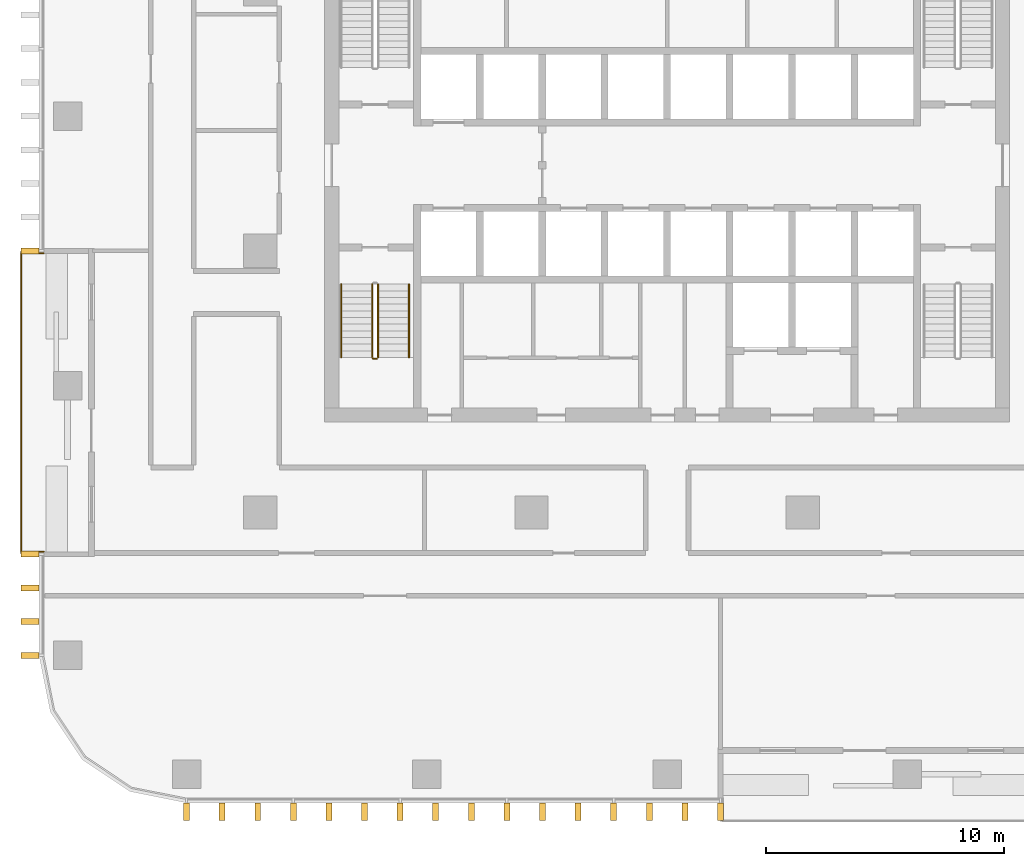
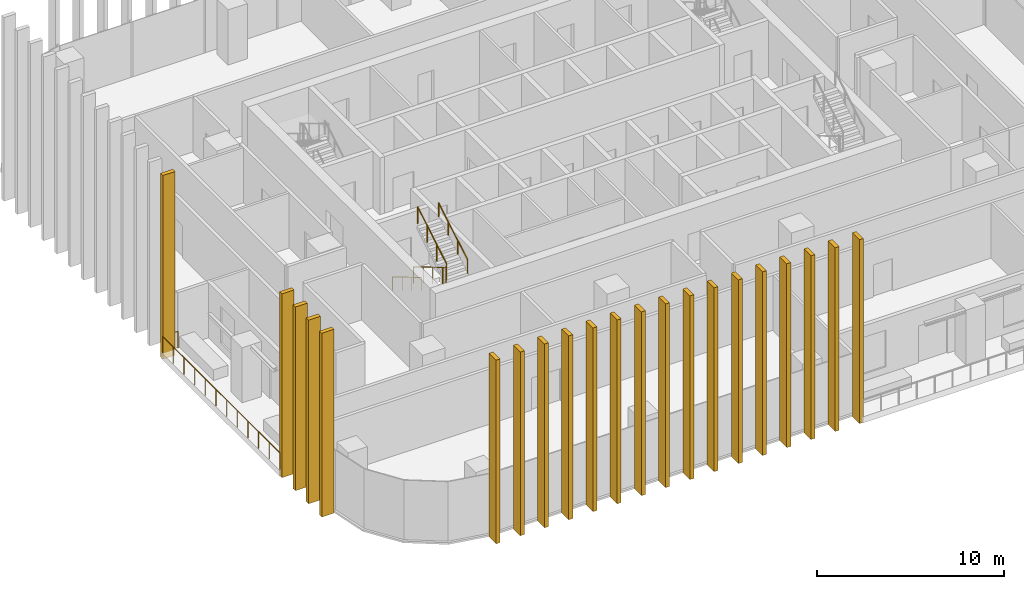
# One storey, part 12 of 16: 21 shading devices, 5 railings.
"""IFC4 building model written with IfcOpenShell, lengths in metres."""

from ifc_helpers import new_model, si_unit, direction, frame, origin, origin_2d, place, context, subcontext, project, spatial, rectangle, circle, extrude, material, type_object, element, save


model = new_model("IFC4")

# Units and contexts
model_context = context("Model", 3, precision=1e-05, world=origin(), true_north=direction((0.0, 1.0)))
body_context = subcontext(model_context, "Body", "Model", "MODEL_VIEW")
ifc_project = project(units=[si_unit("LENGTHUNIT", "METRE"), si_unit("AREAUNIT", "SQUARE_METRE"), si_unit("VOLUMEUNIT", "CUBIC_METRE"), si_unit("PLANEANGLEUNIT", "RADIAN"), si_unit("MASSUNIT", "GRAM", prefix="KILO")], contexts=[model_context])

# Site, building, storey
site_placement = place(None, origin())
site = spatial("IfcSite", under=ifc_project, at=site_placement, CompositionType="ELEMENT")
building_placement = place(site_placement, origin())
building = spatial("IfcBuilding", under=site, at=building_placement, Name="Mopane Tessera Tower", CompositionType="ELEMENT")
storey_placement = place(building_placement, frame((0.0, 0.0, 181.0)))
storey = spatial("IfcBuildingStorey", under=building, at=storey_placement, Name="L37", CompositionType="ELEMENT", Elevation=181.0)

# Shading devices
ifc_material_1 = material(Name="Glazed ceramic tile")
shading_device_type = type_object("IfcShadingDeviceType", Name="Ceramic tile fin 750 x 250 mm", PredefinedType="USERDEFINED", material=ifc_material_1)
for number, where, z_axis, x_axis, name in (
    (1, (-20.199951171875, -23.574951171875, -0.39990234375), (0.0, 0.0, 1.0), (1.0, 0.0, 0.0), "e:fin:L37:S:0:0"),
    (2, (-18.70361328125, -23.574951171875, -0.39990234375), (0.0, 0.0, 1.0), (1.0, 0.0, 0.0), "e:fin:L37:S:0:1"),
    (3, (-17.20751953125, -23.574951171875, -0.39990234375), (0.0, 0.0, 1.0), (1.0, 0.0, 0.0), "e:fin:L37:S:0:2"),
    (4, (-15.711181640625, -23.574951171875, -0.39990234375), (0.0, 0.0, 1.0), (1.0, 0.0, 0.0), "e:fin:L37:S:1:0"),
    (5, (-14.21484375, -23.574951171875, -0.39990234375), (0.0, 0.0, 1.0), (1.0, 0.0, 0.0), "e:fin:L37:S:1:1"),
    (6, (-12.718505859375, -23.574951171875, -0.39990234375), (0.0, 0.0, 1.0), (1.0, 0.0, 0.0), "e:fin:L37:S:1:2"),
    (7, (-11.22216796875, -23.574951171875, -0.39990234375), (0.0, 0.0, 1.0), (1.0, 0.0, 0.0), "e:fin:L37:S:2:0"),
    (8, (-9.725830078125, -23.574951171875, -0.39990234375), (0.0, 0.0, 1.0), (1.0, 0.0, 0.0), "e:fin:L37:S:2:1"),
    (9, (-8.229736328125, -23.574951171875, -0.39990234375), (0.0, 0.0, 1.0), (1.0, 0.0, 0.0), "e:fin:L37:S:2:2"),
    (10, (-6.7333984375, -23.574951171875, -0.39990234375), (0.0, 0.0, 1.0), (1.0, 0.0, 0.0), "e:fin:L37:S:3:0"),
    (11, (-5.237060546875, -23.574951171875, -0.39990234375), (0.0, 0.0, 1.0), (1.0, 0.0, 0.0), "e:fin:L37:S:3:1"),
    (12, (-3.74072265625, -23.574951171875, -0.39990234375), (0.0, 0.0, 1.0), (1.0, 0.0, 0.0), "e:fin:L37:S:3:2"),
    (13, (-2.244384765625, -23.574951171875, -0.39990234375), (0.0, 0.0, 1.0), (1.0, 0.0, 0.0), "e:fin:L37:S:4:0"),
    (14, (-0.748046875, -23.574951171875, -0.39990234375), (0.0, 0.0, 1.0), (1.0, 0.0, 0.0), "e:fin:L37:S:4:1"),
    (15, (0.748046875, -23.574951171875, -0.39990234375), (0.0, 0.0, 1.0), (1.0, 0.0, 0.0), "e:fin:L37:S:4:2"),
    (16, (2.244384765625, -23.574951171875, -0.39990234375), (0.0, 0.0, 1.0), (1.0, 0.0, 0.0), "e:fin:L37:S:4:3"),
    (17, (-26.77490234375, 0.0, -0.39990234375), (0.0, 0.0, 1.0), (0.0, -1.0, 0.0), "e:fin:L37:W:3:3"),
    (18, (-26.77490234375, -12.75, -0.39990234375), (0.0, 0.0, 1.0), (0.0, -1.0, 0.0), "e:fin:L37:W:7:0"),
    (19, (-26.77490234375, -14.166748046875, -0.39990234375), (0.0, 0.0, 1.0), (0.0, -1.0, 0.0), "e:fin:L37:W:7:1"),
    (20, (-26.77490234375, -15.583251953125, -0.39990234375), (0.0, 0.0, 1.0), (0.0, -1.0, 0.0), "e:fin:L37:W:7:2"),
    (21, (-26.77490234375, -17.0, -0.39990234375), (0.0, 0.0, 1.0), (0.0, -1.0, 0.0), "e:fin:L37:W:7:3"),
):
    element("IfcShadingDevice", number, at=place(storey_placement, frame(where, z_axis=z_axis, x_axis=x_axis)), inside=storey, type_object=shading_device_type, Name=name, ObjectType="FIN", PredefinedType="USERDEFINED", context=body_context, shape_type="SweptSolid", body=[
        extrude(rectangle(XDim=0.25, YDim=0.75, at=origin_2d()), origin(), (0.0, 0.0, 1.0), 12.0),
    ])

# Railings
ifc_material_2 = material(Name="Powder-coated steel balustrade", Category="steel")
railing_type_1 = type_object("IfcRailingType", Name="Escape stair guard 1100 mm", PredefinedType="GUARDRAIL", material=ifc_material_2)
railing_1_placement = place(storey_placement, frame((-12.39990234375, -1.39990234375, 0.166748046875)))
element("IfcRailing", 22, at=railing_1_placement, inside=storey, type_object=railing_type_1, Name="L37 ST1 stair guard 1", PredefinedType="GUARDRAIL", context=body_context, shape_type="SweptSolid", body=[
    extrude(circle(Radius=0.02392578125, at=origin_2d()), frame((0.0, 0.0, 1.076171875), z_axis=(0.0, -0.859308565015, 0.511457515432), x_axis=(1.0, 0.0, 0.0)), (0.0, 0.0, 1.0), 3.58447265625),
    extrude(circle(Radius=0.02392578125, at=origin_2d()), frame((0.0, -3.080078125, 2.9091796875), z_axis=(0.705375805398, -0.708833529934, 0.0), x_axis=(0.708833529934, 0.705375805398, 0.0)), (0.0, 0.0, 1.0), 0.070556640625),
    extrude(circle(Radius=0.02392578125, at=origin_2d()), frame((0.0498046875, -3.130126953125, 2.9091796875), z_axis=(1.0, 0.0, 0.0), x_axis=(0.0, 1.0, 0.0)), (0.0, 0.0, 1.0), 0.150146484375),
    extrude(circle(Radius=0.02099609375, at=origin_2d()), origin(), (0.0, 0.0, 1.0), 1.052001953125),
    extrude(circle(Radius=0.02099609375, at=origin_2d()), frame((0.0, -1.026611328125, 0.611083984375)), (0.0, 0.0, 1.0), 1.052001953125),
    extrude(circle(Radius=0.02099609375, at=origin_2d()), frame((0.0, -2.053466796875, 1.22216796875)), (0.0, 0.0, 1.0), 1.052001953125),
    extrude(circle(Radius=0.02099609375, at=origin_2d()), frame((0.0, -3.080078125, 1.833251953125)), (0.0, 0.0, 1.0), 1.052001953125),
    extrude(circle(Radius=0.02099609375, at=origin_2d()), frame((0.0498046875, -3.130126953125, 1.833251953125)), (0.0, 0.0, 1.0), 1.052001953125),
    extrude(circle(Radius=0.02099609375, at=origin_2d()), frame((0.199951171875, -3.130126953125, 1.833251953125)), (0.0, 0.0, 1.0), 1.052001953125),
])
railing_2_placement = place(storey_placement, frame((-12.14990234375, -4.47998046875, 2.166748046875)))
element("IfcRailing", 23, at=railing_2_placement, inside=storey, type_object=railing_type_1, Name="L37 ST1 stair guard 2", PredefinedType="GUARDRAIL", context=body_context, shape_type="SweptSolid", body=[
    extrude(circle(Radius=0.02392578125, at=origin_2d()), frame((0.0, 0.0, 1.076171875), z_axis=(0.0, 0.859308565015, 0.511457515432), x_axis=(-1.0, 0.0, 0.0)), (0.0, 0.0, 1.0), 3.58447265625),
    extrude(circle(Radius=0.02099609375, at=origin_2d()), origin(), (0.0, 0.0, 1.0), 1.052001953125),
    extrude(circle(Radius=0.02099609375, at=origin_2d()), frame((0.0, 1.026611328125, 0.611083984375)), (0.0, 0.0, 1.0), 1.052001953125),
    extrude(circle(Radius=0.02099609375, at=origin_2d()), frame((0.0, 2.053466796875, 1.22216796875)), (0.0, 0.0, 1.0), 1.052001953125),
    extrude(circle(Radius=0.02099609375, at=origin_2d()), frame((0.0, 3.080078125, 1.833251953125)), (0.0, 0.0, 1.0), 1.052001953125),
])
ifc_material_3 = material(Name="Powder-coated steel balustrade", Category="steel")
railing_type_2 = type_object("IfcRailingType", Name="Escape stair handrail 900 mm", PredefinedType="HANDRAIL", material=ifc_material_3)
railing_3_placement = place(storey_placement, frame((-13.699951171875, -1.39990234375, 0.166748046875)))
element("IfcRailing", 24, at=railing_3_placement, inside=storey, type_object=railing_type_2, Name="L37 ST1 stair handrail 1", PredefinedType="HANDRAIL", context=body_context, shape_type="SweptSolid", body=[
    extrude(circle(Radius=0.02392578125, at=origin_2d()), frame((0.0, 0.0, 0.8759765625), z_axis=(0.0, -0.859308565015, 0.511457515432), x_axis=(1.0, 0.0, 0.0)), (0.0, 0.0, 1.0), 3.58447265625),
    extrude(circle(Radius=0.02099609375, at=origin_2d()), origin(), (0.0, 0.0, 1.0), 0.851806640625),
    extrude(circle(Radius=0.02099609375, at=origin_2d()), frame((0.0, -1.026611328125, 0.611083984375)), (0.0, 0.0, 1.0), 0.851806640625),
    extrude(circle(Radius=0.02099609375, at=origin_2d()), frame((0.0, -2.053466796875, 1.22216796875)), (0.0, 0.0, 1.0), 0.851806640625),
    extrude(circle(Radius=0.02099609375, at=origin_2d()), frame((0.0, -3.080078125, 1.833251953125)), (0.0, 0.0, 1.0), 0.851806640625),
])
railing_4_placement = place(storey_placement, frame((-10.85009765625, -4.47998046875, 2.166748046875)))
element("IfcRailing", 25, at=railing_4_placement, inside=storey, type_object=railing_type_2, Name="L37 ST1 stair handrail 2", PredefinedType="HANDRAIL", context=body_context, shape_type="SweptSolid", body=[
    extrude(circle(Radius=0.02392578125, at=origin_2d()), frame((0.0, 0.0, 0.8759765625), z_axis=(0.0, 0.859308565015, 0.511457515432), x_axis=(-1.0, 0.0, 0.0)), (0.0, 0.0, 1.0), 3.58447265625),
    extrude(circle(Radius=0.02099609375, at=origin_2d()), origin(), (0.0, 0.0, 1.0), 0.851806640625),
    extrude(circle(Radius=0.02099609375, at=origin_2d()), frame((0.0, 1.026611328125, 0.611083984375)), (0.0, 0.0, 1.0), 0.851806640625),
    extrude(circle(Radius=0.02099609375, at=origin_2d()), frame((0.0, 2.053466796875, 1.22216796875)), (0.0, 0.0, 1.0), 0.851806640625),
    extrude(circle(Radius=0.02099609375, at=origin_2d()), frame((0.0, 3.080078125, 1.833251953125)), (0.0, 0.0, 1.0), 0.851806640625),
])
ifc_material_4 = material(Name="Stainless steel S316", Category="steel")
railing_type_3 = type_object("IfcRailingType", Name="Terrace guard 1100", PredefinedType="GUARDRAIL", material=ifc_material_4)
railing_5_placement = place(storey_placement, frame((-26.199951171875, -0.10009765625, 0.0)))
element("IfcRailing", 26, at=railing_5_placement, inside=storey, type_object=railing_type_3, Name="e:nw:L37:N1:guard", PredefinedType="GUARDRAIL", context=body_context, shape_type="SweptSolid", body=[
    extrude(circle(Radius=0.02392578125, at=origin_2d()), frame((0.0, 0.0, 1.076171875), z_axis=(-1.0, 0.0, 0.0), x_axis=(0.0, -1.0, 0.0)), (0.0, 0.0, 1.0), 0.949951171875),
    extrude(circle(Radius=0.02392578125, at=origin_2d()), frame((-0.949951171875, 0.0, 1.076171875), z_axis=(0.0, -1.0, 0.0), x_axis=(1.0, 0.0, 0.0)), (0.0, 0.0, 1.0), 12.5498046875),
    extrude(circle(Radius=0.02392578125, at=origin_2d()), frame((-0.949951171875, -12.5498046875, 1.076171875), z_axis=(1.0, 0.0, 0.0), x_axis=(0.0, 1.0, 0.0)), (0.0, 0.0, 1.0), 0.949951171875),
    extrude(circle(Radius=0.02099609375, at=origin_2d()), origin(), (0.0, 0.0, 1.0), 1.052001953125),
    extrude(circle(Radius=0.02099609375, at=origin_2d()), frame((-0.949951171875, 0.0, 0.0)), (0.0, 0.0, 1.0), 1.052001953125),
    extrude(circle(Radius=0.02099609375, at=origin_2d()), frame((-0.949951171875, -1.140869140625, 0.0)), (0.0, 0.0, 1.0), 1.052001953125),
    extrude(circle(Radius=0.02099609375, at=origin_2d()), frame((-0.949951171875, -2.28173828125, 0.0)), (0.0, 0.0, 1.0), 1.052001953125),
    extrude(circle(Radius=0.02099609375, at=origin_2d()), frame((-0.949951171875, -3.422607421875, 0.0)), (0.0, 0.0, 1.0), 1.052001953125),
    extrude(circle(Radius=0.02099609375, at=origin_2d()), frame((-0.949951171875, -4.5634765625, 0.0)), (0.0, 0.0, 1.0), 1.052001953125),
    extrude(circle(Radius=0.02099609375, at=origin_2d()), frame((-0.949951171875, -5.704345703125, 0.0)), (0.0, 0.0, 1.0), 1.052001953125),
    extrude(circle(Radius=0.02099609375, at=origin_2d()), frame((-0.949951171875, -6.845458984375, 0.0)), (0.0, 0.0, 1.0), 1.052001953125),
    extrude(circle(Radius=0.02099609375, at=origin_2d()), frame((-0.949951171875, -7.986328125, 0.0)), (0.0, 0.0, 1.0), 1.052001953125),
    extrude(circle(Radius=0.02099609375, at=origin_2d()), frame((-0.949951171875, -9.127197265625, 0.0)), (0.0, 0.0, 1.0), 1.052001953125),
    extrude(circle(Radius=0.02099609375, at=origin_2d()), frame((-0.949951171875, -10.26806640625, 0.0)), (0.0, 0.0, 1.0), 1.052001953125),
    extrude(circle(Radius=0.02099609375, at=origin_2d()), frame((-0.949951171875, -11.408935546875, 0.0)), (0.0, 0.0, 1.0), 1.052001953125),
    extrude(circle(Radius=0.02099609375, at=origin_2d()), frame((-0.949951171875, -12.5498046875, 0.0)), (0.0, 0.0, 1.0), 1.052001953125),
    extrude(circle(Radius=0.02099609375, at=origin_2d()), frame((0.0, -12.5498046875, 0.0)), (0.0, 0.0, 1.0), 1.052001953125),
])

save(model, "model.ifc")
